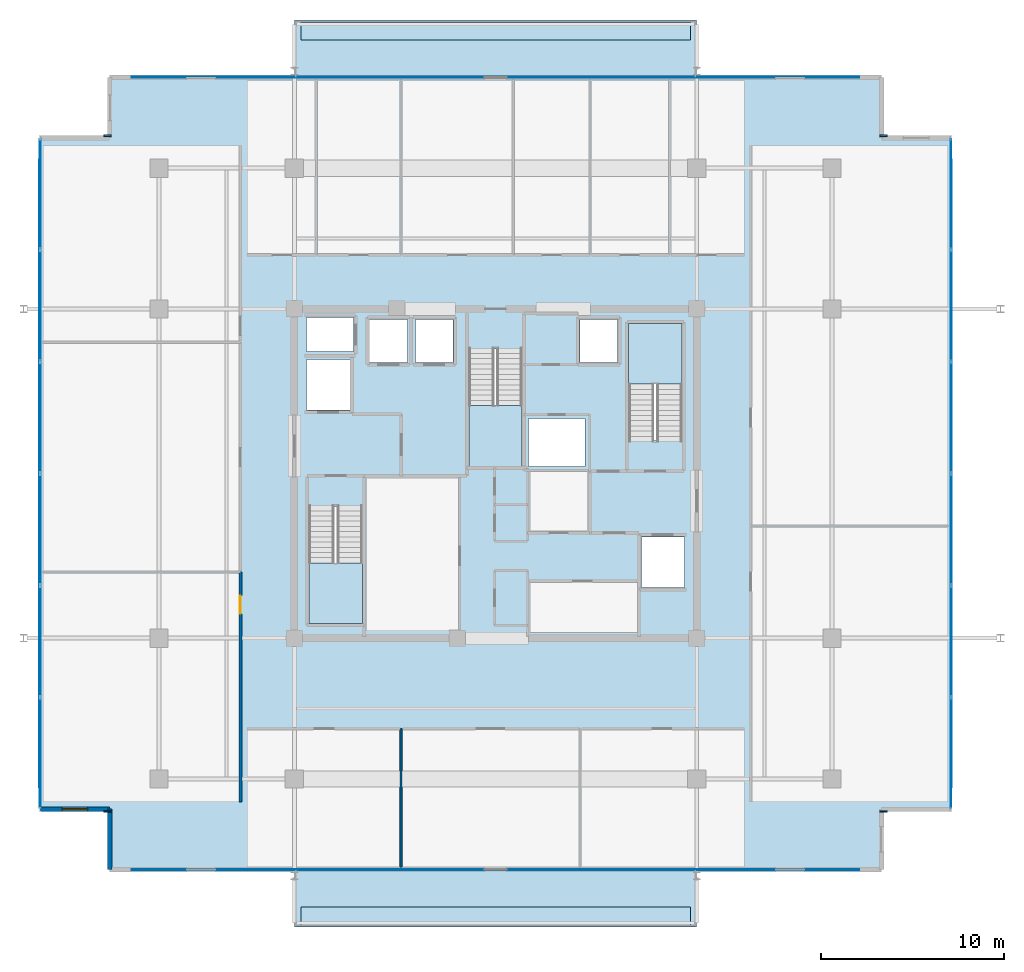
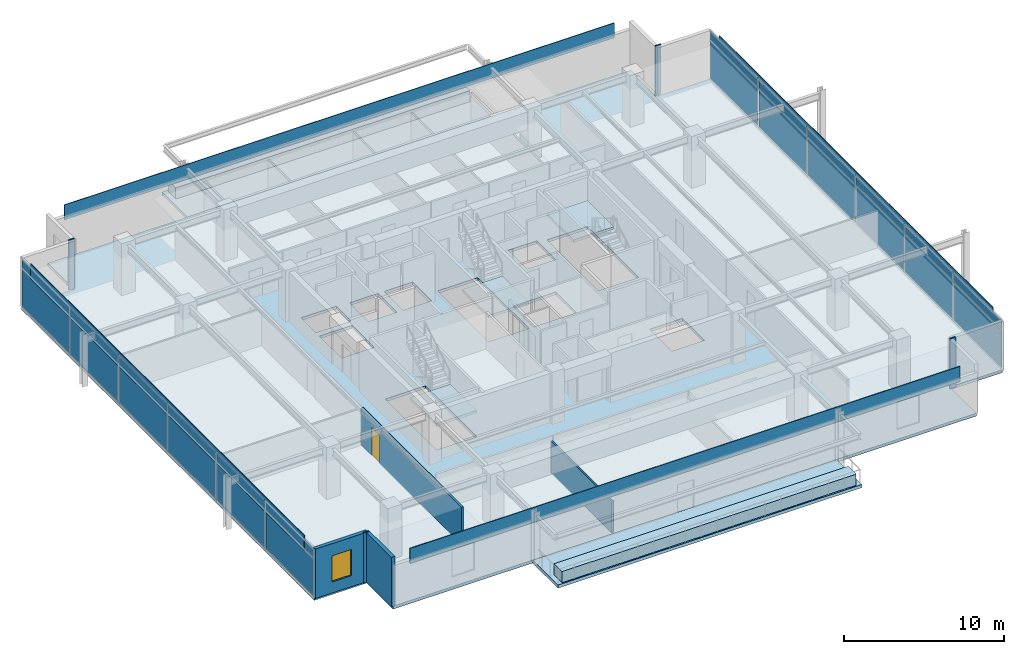
# One storey, part 12 of 20: 32 plates, 8 slabs, 4 walls, 1 door, 1 window, 2 openings, 5 elements without a shape of their own.
"""IFC4 building model written with IfcOpenShell, lengths in metres."""

from ifc_helpers import new_model, si_unit, direction, frame, frame_2d, origin, origin_2d, place, context, subcontext, project, spatial, polyline, rectangle, outline, extrude, material, layer, layer_set, type_object, element, fill, aggregate, save


model = new_model("IFC4")

# Units and contexts
model_context = context("Model", 3, precision=1e-05, world=origin(), true_north=direction((0.0, 1.0)))
body_context = subcontext(model_context, "Body", "Model", "MODEL_VIEW")
ifc_project = project(units=[si_unit("LENGTHUNIT", "METRE"), si_unit("AREAUNIT", "SQUARE_METRE"), si_unit("VOLUMEUNIT", "CUBIC_METRE"), si_unit("PLANEANGLEUNIT", "RADIAN"), si_unit("MASSUNIT", "GRAM", prefix="KILO")], contexts=[model_context])

# Site, building, storey
site_placement = place(None, origin())
site = spatial("IfcSite", under=ifc_project, at=site_placement, CompositionType="ELEMENT")
building_placement = place(site_placement, origin())
building = spatial("IfcBuilding", under=site, at=building_placement, Name="Kovane Verandah Tower", CompositionType="ELEMENT")
storey_placement = place(building_placement, frame((0.0, 0.0, 322.800048828125)))
storey = spatial("IfcBuildingStorey", under=building, at=storey_placement, Name="L75", CompositionType="ELEMENT", Elevation=322.800048828125)

# Curtain wall, plates
ifc_material_1 = material(Name="Champagne Anodised Aluminium Frame with Low-E Clear Laminated Glass", Category="aluminium")
curtain_wall_type = type_object("IfcCurtainWallType", Name="CW-SYS-05-HIGH", PredefinedType="NOTDEFINED", material=ifc_material_1)
curtain_wall_1_placement = place(storey_placement, origin())
curtain_wall_1 = element("IfcCurtainWall", 1, at=curtain_wall_1_placement, inside=storey, type_object=curtain_wall_type, Name="L75 E Unitised Curtain Wall", PredefinedType="NOTDEFINED")
ifc_material_2 = material(Name="Pale Champagne Anodised Aluminium Insulated Spandrel", Category="aluminium")
ifc_layer_1 = layer(ifc_material_2, 0.0400390625)
ifc_layer_set_1 = layer_set([ifc_layer_1], Name="Pale Champagne Anodised Aluminium Insulated Spandrel")
plate_type_1 = type_object("IfcPlateType", Name="PL-CW-SPD-40", PredefinedType="SHEET", material=ifc_layer_set_1)
plate_1_placement = place(storey_placement, frame((64.89990234375, 12.208251953125, 3.05517578125), z_axis=(0.0, 0.0, 1.0), x_axis=(0.0, 1.0, 0.0)))
plate_1 = element("IfcPlate", 2, at=plate_1_placement, type_object=plate_type_1, Name="L75 E Unitised Curtain Wall Spandrel Panel 1", PredefinedType="SHEET", context=body_context, shape_type="SweptSolid", body=[
    extrude(rectangle(XDim=5.976806640625, YDim=0.0400390625, at=origin_2d()), origin(), (0.0, 0.0, 1.0), 0.639892578125),
])
plate_2_placement = place(storey_placement, frame((64.89990234375, 18.324951171875, 3.05517578125), z_axis=(0.0, 0.0, 1.0), x_axis=(0.0, 1.0, 0.0)))
plate_2 = element("IfcPlate", 3, at=plate_2_placement, type_object=plate_type_1, Name="L75 E Unitised Curtain Wall Spandrel Panel 2", PredefinedType="SHEET", context=body_context, shape_type="SweptSolid", body=[
    extrude(rectangle(XDim=5.976806640625, YDim=0.0400390625, at=origin_2d()), origin(), (0.0, 0.0, 1.0), 0.639892578125),
])
plate_3_placement = place(storey_placement, frame((64.89990234375, 24.441650390625, 3.05517578125), z_axis=(0.0, 0.0, 1.0), x_axis=(0.0, 1.0, 0.0)))
plate_3 = element("IfcPlate", 4, at=plate_3_placement, type_object=plate_type_1, Name="L75 E Unitised Curtain Wall Spandrel Panel 3", PredefinedType="SHEET", context=body_context, shape_type="SweptSolid", body=[
    extrude(rectangle(XDim=5.976806640625, YDim=0.0400390625, at=origin_2d()), origin(), (0.0, 0.0, 1.0), 0.639892578125),
])
plate_4_placement = place(storey_placement, frame((64.89990234375, 30.558349609375, 3.05517578125), z_axis=(0.0, 0.0, 1.0), x_axis=(0.0, 1.0, 0.0)))
plate_4 = element("IfcPlate", 5, at=plate_4_placement, type_object=plate_type_1, Name="L75 E Unitised Curtain Wall Spandrel Panel 4", PredefinedType="SHEET", context=body_context, shape_type="SweptSolid", body=[
    extrude(rectangle(XDim=5.976806640625, YDim=0.0400390625, at=origin_2d()), origin(), (0.0, 0.0, 1.0), 0.639892578125),
])
plate_5_placement = place(storey_placement, frame((64.89990234375, 36.675048828125, 3.05517578125), z_axis=(0.0, 0.0, 1.0), x_axis=(0.0, 1.0, 0.0)))
plate_5 = element("IfcPlate", 6, at=plate_5_placement, type_object=plate_type_1, Name="L75 E Unitised Curtain Wall Spandrel Panel 5", PredefinedType="SHEET", context=body_context, shape_type="SweptSolid", body=[
    extrude(rectangle(XDim=5.976806640625, YDim=0.0400390625, at=origin_2d()), origin(), (0.0, 0.0, 1.0), 0.639892578125),
])
plate_6_placement = place(storey_placement, frame((64.89990234375, 42.791748046875, 3.05517578125), z_axis=(0.0, 0.0, 1.0), x_axis=(0.0, 1.0, 0.0)))
plate_6 = element("IfcPlate", 7, at=plate_6_placement, type_object=plate_type_1, Name="L75 E Unitised Curtain Wall Spandrel Panel 6", PredefinedType="SHEET", context=body_context, shape_type="SweptSolid", body=[
    extrude(rectangle(XDim=5.976806640625, YDim=0.0400390625, at=origin_2d()), origin(), (0.0, 0.0, 1.0), 0.639892578125),
])

curtain_wall_2_placement = place(storey_placement, origin())
curtain_wall_2 = element("IfcCurtainWall", 8, at=curtain_wall_2_placement, inside=storey, type_object=curtain_wall_type, Name="L75 W Unitised Curtain Wall", PredefinedType="NOTDEFINED")
plate_7_placement = place(storey_placement, frame((15.10009765625, 42.791748046875, 3.05517578125), z_axis=(0.0, 0.0, 1.0), x_axis=(0.0, -1.0, 0.0)))
plate_7 = element("IfcPlate", 9, at=plate_7_placement, type_object=plate_type_1, Name="L75 W Unitised Curtain Wall Spandrel Panel 1", PredefinedType="SHEET", context=body_context, shape_type="SweptSolid", body=[
    extrude(rectangle(XDim=5.976806640625, YDim=0.0400390625, at=origin_2d()), origin(), (0.0, 0.0, 1.0), 0.639892578125),
])
plate_8_placement = place(storey_placement, frame((15.10009765625, 36.675048828125, 3.05517578125), z_axis=(0.0, 0.0, 1.0), x_axis=(0.0, -1.0, 0.0)))
plate_8 = element("IfcPlate", 10, at=plate_8_placement, type_object=plate_type_1, Name="L75 W Unitised Curtain Wall Spandrel Panel 2", PredefinedType="SHEET", context=body_context, shape_type="SweptSolid", body=[
    extrude(rectangle(XDim=5.976806640625, YDim=0.0400390625, at=origin_2d()), origin(), (0.0, 0.0, 1.0), 0.639892578125),
])
plate_9_placement = place(storey_placement, frame((15.10009765625, 30.558349609375, 3.05517578125), z_axis=(0.0, 0.0, 1.0), x_axis=(0.0, -1.0, 0.0)))
plate_9 = element("IfcPlate", 11, at=plate_9_placement, type_object=plate_type_1, Name="L75 W Unitised Curtain Wall Spandrel Panel 3", PredefinedType="SHEET", context=body_context, shape_type="SweptSolid", body=[
    extrude(rectangle(XDim=5.976806640625, YDim=0.0400390625, at=origin_2d()), origin(), (0.0, 0.0, 1.0), 0.639892578125),
])
plate_10_placement = place(storey_placement, frame((15.10009765625, 24.441650390625, 3.05517578125), z_axis=(0.0, 0.0, 1.0), x_axis=(0.0, -1.0, 0.0)))
plate_10 = element("IfcPlate", 12, at=plate_10_placement, type_object=plate_type_1, Name="L75 W Unitised Curtain Wall Spandrel Panel 4", PredefinedType="SHEET", context=body_context, shape_type="SweptSolid", body=[
    extrude(rectangle(XDim=5.976806640625, YDim=0.0400390625, at=origin_2d()), origin(), (0.0, 0.0, 1.0), 0.639892578125),
])
plate_11_placement = place(storey_placement, frame((15.10009765625, 18.324951171875, 3.05517578125), z_axis=(0.0, 0.0, 1.0), x_axis=(0.0, -1.0, 0.0)))
plate_11 = element("IfcPlate", 13, at=plate_11_placement, type_object=plate_type_1, Name="L75 W Unitised Curtain Wall Spandrel Panel 5", PredefinedType="SHEET", context=body_context, shape_type="SweptSolid", body=[
    extrude(rectangle(XDim=5.976806640625, YDim=0.0400390625, at=origin_2d()), origin(), (0.0, 0.0, 1.0), 0.639892578125),
])
plate_12_placement = place(storey_placement, frame((15.10009765625, 12.208251953125, 3.05517578125), z_axis=(0.0, 0.0, 1.0), x_axis=(0.0, -1.0, 0.0)))
plate_12 = element("IfcPlate", 14, at=plate_12_placement, type_object=plate_type_1, Name="L75 W Unitised Curtain Wall Spandrel Panel 6", PredefinedType="SHEET", context=body_context, shape_type="SweptSolid", body=[
    extrude(rectangle(XDim=5.976806640625, YDim=0.0400390625, at=origin_2d()), origin(), (0.0, 0.0, 1.0), 0.639892578125),
])

# Plate
ifc_material_3 = material(Name="Clear Low-E Laminated Double Glazing", Category="glass")
ifc_layer_2 = layer(ifc_material_3, 0.031982421875)
ifc_layer_set_2 = layer_set([ifc_layer_2], Name="Clear Low-E Laminated Double Glazing")
plate_type_2 = type_object("IfcPlateType", Name="PL-CW-VIS-32", PredefinedType="CURTAIN_PANEL", material=ifc_layer_set_2)
plate_13_placement = place(storey_placement, frame((64.89990234375, 12.208251953125, 0.099853515625), z_axis=(0.0, 0.0, 1.0), x_axis=(0.0, 1.0, 0.0)))
plate_13 = element("IfcPlate", 15, at=plate_13_placement, type_object=plate_type_2, Name="L75 E Unitised Curtain Wall Vision Panel 1", PredefinedType="CURTAIN_PANEL", context=body_context, shape_type="SweptSolid", body=[
    extrude(rectangle(XDim=5.976806640625, YDim=0.031982421875, at=origin_2d()), origin(), (0.0, 0.0, 1.0), 2.85498046875),
])

plate_14_placement = place(storey_placement, frame((64.89990234375, 18.324951171875, 0.099853515625), z_axis=(0.0, 0.0, 1.0), x_axis=(0.0, 1.0, 0.0)))
plate_14 = element("IfcPlate", 16, at=plate_14_placement, type_object=plate_type_2, Name="L75 E Unitised Curtain Wall Vision Panel 2", PredefinedType="CURTAIN_PANEL", context=body_context, shape_type="SweptSolid", body=[
    extrude(rectangle(XDim=5.976806640625, YDim=0.031982421875, at=origin_2d()), origin(), (0.0, 0.0, 1.0), 2.85498046875),
])

plate_15_placement = place(storey_placement, frame((64.89990234375, 24.441650390625, 0.099853515625), z_axis=(0.0, 0.0, 1.0), x_axis=(0.0, 1.0, 0.0)))
plate_15 = element("IfcPlate", 17, at=plate_15_placement, type_object=plate_type_2, Name="L75 E Unitised Curtain Wall Vision Panel 3", PredefinedType="CURTAIN_PANEL", context=body_context, shape_type="SweptSolid", body=[
    extrude(rectangle(XDim=5.976806640625, YDim=0.031982421875, at=origin_2d()), origin(), (0.0, 0.0, 1.0), 2.85498046875),
])

plate_16_placement = place(storey_placement, frame((64.89990234375, 30.558349609375, 0.099853515625), z_axis=(0.0, 0.0, 1.0), x_axis=(0.0, 1.0, 0.0)))
plate_16 = element("IfcPlate", 18, at=plate_16_placement, type_object=plate_type_2, Name="L75 E Unitised Curtain Wall Vision Panel 4", PredefinedType="CURTAIN_PANEL", context=body_context, shape_type="SweptSolid", body=[
    extrude(rectangle(XDim=5.976806640625, YDim=0.031982421875, at=origin_2d()), origin(), (0.0, 0.0, 1.0), 2.85498046875),
])

plate_17_placement = place(storey_placement, frame((64.89990234375, 36.675048828125, 0.099853515625), z_axis=(0.0, 0.0, 1.0), x_axis=(0.0, 1.0, 0.0)))
plate_17 = element("IfcPlate", 19, at=plate_17_placement, type_object=plate_type_2, Name="L75 E Unitised Curtain Wall Vision Panel 5", PredefinedType="CURTAIN_PANEL", context=body_context, shape_type="SweptSolid", body=[
    extrude(rectangle(XDim=5.976806640625, YDim=0.031982421875, at=origin_2d()), origin(), (0.0, 0.0, 1.0), 2.85498046875),
])

plate_18_placement = place(storey_placement, frame((64.89990234375, 42.791748046875, 0.099853515625), z_axis=(0.0, 0.0, 1.0), x_axis=(0.0, 1.0, 0.0)))
plate_18 = element("IfcPlate", 20, at=plate_18_placement, type_object=plate_type_2, Name="L75 E Unitised Curtain Wall Vision Panel 6", PredefinedType="CURTAIN_PANEL", context=body_context, shape_type="SweptSolid", body=[
    extrude(rectangle(XDim=5.976806640625, YDim=0.031982421875, at=origin_2d()), origin(), (0.0, 0.0, 1.0), 2.85498046875),
])

aggregate(curtain_wall_1, [plate_13, plate_1, plate_14, plate_2, plate_15, plate_3, plate_16, plate_4, plate_17, plate_5, plate_18, plate_6])

plate_19_placement = place(storey_placement, frame((15.10009765625, 42.791748046875, 0.099853515625), z_axis=(0.0, 0.0, 1.0), x_axis=(0.0, -1.0, 0.0)))
plate_19 = element("IfcPlate", 21, at=plate_19_placement, type_object=plate_type_2, Name="L75 W Unitised Curtain Wall Vision Panel 1", PredefinedType="CURTAIN_PANEL", context=body_context, shape_type="SweptSolid", body=[
    extrude(rectangle(XDim=5.976806640625, YDim=0.031982421875, at=origin_2d()), origin(), (0.0, 0.0, 1.0), 2.85498046875),
])

plate_20_placement = place(storey_placement, frame((15.10009765625, 36.675048828125, 0.099853515625), z_axis=(0.0, 0.0, 1.0), x_axis=(0.0, -1.0, 0.0)))
plate_20 = element("IfcPlate", 22, at=plate_20_placement, type_object=plate_type_2, Name="L75 W Unitised Curtain Wall Vision Panel 2", PredefinedType="CURTAIN_PANEL", context=body_context, shape_type="SweptSolid", body=[
    extrude(rectangle(XDim=5.976806640625, YDim=0.031982421875, at=origin_2d()), origin(), (0.0, 0.0, 1.0), 2.85498046875),
])

plate_21_placement = place(storey_placement, frame((15.10009765625, 30.558349609375, 0.099853515625), z_axis=(0.0, 0.0, 1.0), x_axis=(0.0, -1.0, 0.0)))
plate_21 = element("IfcPlate", 23, at=plate_21_placement, type_object=plate_type_2, Name="L75 W Unitised Curtain Wall Vision Panel 3", PredefinedType="CURTAIN_PANEL", context=body_context, shape_type="SweptSolid", body=[
    extrude(rectangle(XDim=5.976806640625, YDim=0.031982421875, at=origin_2d()), origin(), (0.0, 0.0, 1.0), 2.85498046875),
])

plate_22_placement = place(storey_placement, frame((15.10009765625, 24.441650390625, 0.099853515625), z_axis=(0.0, 0.0, 1.0), x_axis=(0.0, -1.0, 0.0)))
plate_22 = element("IfcPlate", 24, at=plate_22_placement, type_object=plate_type_2, Name="L75 W Unitised Curtain Wall Vision Panel 4", PredefinedType="CURTAIN_PANEL", context=body_context, shape_type="SweptSolid", body=[
    extrude(rectangle(XDim=5.976806640625, YDim=0.031982421875, at=origin_2d()), origin(), (0.0, 0.0, 1.0), 2.85498046875),
])

plate_23_placement = place(storey_placement, frame((15.10009765625, 18.324951171875, 0.099853515625), z_axis=(0.0, 0.0, 1.0), x_axis=(0.0, -1.0, 0.0)))
plate_23 = element("IfcPlate", 25, at=plate_23_placement, type_object=plate_type_2, Name="L75 W Unitised Curtain Wall Vision Panel 5", PredefinedType="CURTAIN_PANEL", context=body_context, shape_type="SweptSolid", body=[
    extrude(rectangle(XDim=5.976806640625, YDim=0.031982421875, at=origin_2d()), origin(), (0.0, 0.0, 1.0), 2.85498046875),
])

plate_24_placement = place(storey_placement, frame((15.10009765625, 12.208251953125, 0.099853515625), z_axis=(0.0, 0.0, 1.0), x_axis=(0.0, -1.0, 0.0)))
plate_24 = element("IfcPlate", 26, at=plate_24_placement, type_object=plate_type_2, Name="L75 W Unitised Curtain Wall Vision Panel 6", PredefinedType="CURTAIN_PANEL", context=body_context, shape_type="SweptSolid", body=[
    extrude(rectangle(XDim=5.976806640625, YDim=0.031982421875, at=origin_2d()), origin(), (0.0, 0.0, 1.0), 2.85498046875),
])

aggregate(curtain_wall_2, [plate_19, plate_7, plate_20, plate_8, plate_21, plate_9, plate_22, plate_10, plate_23, plate_11, plate_24, plate_12])

# Plates
ifc_material_4 = material(Name="Timber-Toned Subtropical Aluminium Vertical Blade", Category="wood")
ifc_layer_3 = layer(ifc_material_4, 0.090087890625)
ifc_layer_set_3 = layer_set([ifc_layer_3], Name="Timber-Toned Subtropical Aluminium Vertical Blade")
plate_type_3 = type_object("IfcPlateType", Name="PL-FIN-90", PredefinedType="USERDEFINED", material=ifc_layer_set_3)
for number, where, z_axis, x_axis, name in (
    (27, (18.780029296875, 9.030029296875, -0.02001953125), (0.0, 0.0, 1.0), (1.0, 0.0, 0.0), "L75 SW Timber-Toned Vertical Corner Fin"),
    (28, (61.219970703125, 9.030029296875, -0.02001953125), (0.0, 0.0, 1.0), (1.0, 0.0, 0.0), "L75 SE Timber-Toned Vertical Corner Fin"),
    (29, (61.219970703125, 45.969970703125, -0.02001953125), (0.0, 0.0, 1.0), (1.0, 0.0, 0.0), "L75 NE Timber-Toned Vertical Corner Fin"),
    (30, (18.780029296875, 45.969970703125, -0.02001953125), (0.0, 0.0, 1.0), (1.0, 0.0, 0.0), "L75 NW Timber-Toned Vertical Corner Fin"),
):
    element("IfcPlate", number, at=place(storey_placement, frame(where, z_axis=z_axis, x_axis=x_axis)), inside=storey, type_object=plate_type_3, Name=name, ObjectType="FIN", PredefinedType="USERDEFINED", context=body_context, shape_type="SweptSolid", body=[
        extrude(rectangle(XDim=0.419921875, YDim=0.090087890625, at=origin_2d()), origin(), (0.0, 0.0, 1.0), 3.844970703125),
    ])
ifc_material_5 = material(Name="Perforated Pale Champagne Anodised Aluminium Solar Screen", Category="aluminium")
ifc_layer_4 = layer(ifc_material_5, 0.050048828125)
ifc_layer_set_4 = layer_set([ifc_layer_4], Name="Perforated Pale Champagne Anodised Aluminium Solar Screen")
plate_type_4 = type_object("IfcPlateType", Name="PL-SCREEN-50", PredefinedType="USERDEFINED", material=ifc_layer_set_4)
plate_25_placement = place(storey_placement, frame((40.0, 5.8349609375, 2.885009765625), z_axis=(0.0, 0.0, 1.0), x_axis=(1.0, 0.0, 0.0)))
element("IfcPlate", 31, at=plate_25_placement, inside=storey, type_object=plate_type_4, Name="L75 S Perforated Champagne-Gold Solar Screen", ObjectType="SCREEN", PredefinedType="USERDEFINED", context=body_context, shape_type="SweptSolid", body=[
    extrude(rectangle(XDim=39.800048828125, YDim=0.050048828125, at=origin_2d()), origin(), (0.0, 0.0, 1.0), 1.14990234375),
])
plate_26_placement = place(storey_placement, frame((64.9150390625, 27.5, 2.885009765625), z_axis=(0.0, 0.0, 1.0), x_axis=(0.0, 1.0, 0.0)))
element("IfcPlate", 32, at=plate_26_placement, inside=storey, type_object=plate_type_4, Name="L75 E Perforated Champagne-Gold Solar Screen", ObjectType="SCREEN", PredefinedType="USERDEFINED", context=body_context, shape_type="SweptSolid", body=[
    extrude(rectangle(XDim=34.300048828125, YDim=0.050048828125, at=origin_2d()), origin(), (0.0, 0.0, 1.0), 1.14990234375),
])
plate_27_placement = place(storey_placement, frame((40.0, 49.1650390625, 2.885009765625), z_axis=(0.0, 0.0, 1.0), x_axis=(-1.0, 0.0, 0.0)))
element("IfcPlate", 33, at=plate_27_placement, inside=storey, type_object=plate_type_4, Name="L75 N Perforated Champagne-Gold Solar Screen", ObjectType="SCREEN", PredefinedType="USERDEFINED", context=body_context, shape_type="SweptSolid", body=[
    extrude(rectangle(XDim=39.800048828125, YDim=0.050048828125, at=origin_2d()), origin(), (0.0, 0.0, 1.0), 1.14990234375),
])
plate_28_placement = place(storey_placement, frame((15.0849609375, 27.5, 2.885009765625), z_axis=(0.0, 0.0, 1.0), x_axis=(0.0, -1.0, 0.0)))
element("IfcPlate", 34, at=plate_28_placement, inside=storey, type_object=plate_type_4, Name="L75 W Perforated Champagne-Gold Solar Screen", ObjectType="SCREEN", PredefinedType="USERDEFINED", context=body_context, shape_type="SweptSolid", body=[
    extrude(rectangle(XDim=34.300048828125, YDim=0.050048828125, at=origin_2d()), origin(), (0.0, 0.0, 1.0), 1.14990234375),
])

# Slabs
ifc_material_6 = material(Name="Concrete C45/55", Category="concrete")
ifc_layer_5 = layer(ifc_material_6, 0.239990234375)
ifc_layer_set_5 = layer_set([ifc_layer_5], Name="Concrete C45/55")
slab_type_1 = type_object("IfcSlabType", Name="SL-BALC-240", PredefinedType="FLOOR", material=ifc_layer_set_5)
slab_1_placement = place(storey_placement, frame((0.0, 0.0, -0.239990234375)))
element("IfcSlab", 35, at=slab_1_placement, inside=storey, type_object=slab_type_1, Name="L75 N Planted Verandah Balcony Slab", PredefinedType="FLOOR", context=body_context, shape_type="SweptSolid", body=[
    extrude(outline(polyline([(29.0, 49.14990234375), (51.0, 49.14990234375), (51.0, 52.300048828125), (29.0, 52.300048828125), (29.0, 49.14990234375)])), origin(), (0.0, 0.0, 1.0), 0.239990234375),
])
slab_2_placement = place(storey_placement, frame((0.0, 0.0, -0.239990234375)))
element("IfcSlab", 36, at=slab_2_placement, inside=storey, type_object=slab_type_1, Name="L75 S Planted Verandah Balcony Slab", PredefinedType="FLOOR", context=body_context, shape_type="SweptSolid", body=[
    extrude(outline(polyline([(29.0, 2.699951171875), (51.0, 2.699951171875), (51.0, 5.85009765625), (29.0, 5.85009765625), (29.0, 2.699951171875)])), origin(), (0.0, 0.0, 1.0), 0.239990234375),
])
ifc_layer_6 = layer(ifc_material_6, 0.215087890625)
ifc_layer_set_6 = layer_set([ifc_layer_6], Name="Concrete C45/55")
slab_type_2 = type_object("IfcSlabType", Name="SL-HIGH-215", PredefinedType="FLOOR", material=ifc_layer_set_6)
slab_3_placement = place(storey_placement, frame((0.0, 0.0, -0.215087890625)))
element("IfcSlab", 37, at=slab_3_placement, inside=storey, type_object=slab_type_2, Name="L75 Structural Floor Slab", PredefinedType="FLOOR", context=body_context, shape_type="SweptSolid", body=[
    extrude(outline(polyline([(18.89990234375, 5.85009765625), (61.10009765625, 5.85009765625), (61.10009765625, 9.14990234375), (64.89990234375, 9.14990234375), (64.89990234375, 45.85009765625), (61.10009765625, 45.85009765625), (61.10009765625, 49.14990234375), (18.89990234375, 49.14990234375), (18.89990234375, 45.85009765625), (15.10009765625, 45.85009765625), (15.10009765625, 9.14990234375), (18.89990234375, 9.14990234375), (18.89990234375, 5.85009765625)]), holes=[polyline([(29.800048828125, 19.300048828125), (32.719970703125, 19.300048828125), (32.719970703125, 25.705078125), (29.800048828125, 25.705078125), (29.800048828125, 19.300048828125)]), polyline([(47.280029296875, 29.294921875), (50.199951171875, 29.294921875), (50.199951171875, 35.699951171875), (47.280029296875, 35.699951171875), (47.280029296875, 29.294921875)]), polyline([(38.5400390625, 27.89990234375), (41.4599609375, 27.89990234375), (41.4599609375, 34.304931640625), (38.5400390625, 34.304931640625), (38.5400390625, 27.89990234375)]), polyline([(29.669921875, 30.969970703125), (32.030029296875, 30.969970703125), (32.030029296875, 33.72998046875), (29.669921875, 33.72998046875), (29.669921875, 30.969970703125)]), polyline([(47.969970703125, 21.27001953125), (50.330078125, 21.27001953125), (50.330078125, 24.030029296875), (47.969970703125, 24.030029296875), (47.969970703125, 21.27001953125)]), polyline([(29.669921875, 34.169921875), (32.22998046875, 34.169921875), (32.22998046875, 36.030029296875), (29.669921875, 36.030029296875), (29.669921875, 34.169921875)]), polyline([(33.1201171875, 33.570068359375), (35.179931640625, 33.570068359375), (35.179931640625, 35.929931640625), (33.1201171875, 35.929931640625), (33.1201171875, 33.570068359375)]), polyline([(35.6201171875, 33.570068359375), (37.679931640625, 33.570068359375), (37.679931640625, 35.929931640625), (35.6201171875, 35.929931640625), (35.6201171875, 33.570068359375)]), polyline([(44.6201171875, 33.570068359375), (46.679931640625, 33.570068359375), (46.679931640625, 35.929931640625), (44.6201171875, 35.929931640625), (44.6201171875, 33.570068359375)]), polyline([(41.800048828125, 27.89990234375), (44.89990234375, 27.89990234375), (44.89990234375, 30.5), (41.800048828125, 30.5), (41.800048828125, 27.89990234375)])]), origin(), (0.0, 0.0, 1.0), 0.215087890625),
])

# Stair, slab
stair_type = type_object("IfcStairType", Name="ST-CORE-1380", PredefinedType="HALF_TURN_STAIR", material=ifc_material_6)
stair_1_placement = place(storey_placement, origin())
stair_1 = element("IfcStair", 38, at=stair_1_placement, inside=storey, type_object=stair_type, Name="L75 Exit Stair ST-01", PredefinedType="HALF_TURN_STAIR")
ifc_layer_7 = layer(ifc_material_6, 0.199951171875)
ifc_layer_set_7 = layer_set([ifc_layer_7], Name="Concrete C45/55")
slab_type_3 = type_object("IfcSlabType", Name="SL-LAND-200", PredefinedType="LANDING", material=ifc_layer_set_7)
slab_4_placement = place(storey_placement, frame((0.0, 0.0, 1.800048828125)))
slab_4 = element("IfcSlab", 39, at=slab_4_placement, type_object=slab_type_3, Name="ST-01 landing 1", PredefinedType="LANDING", context=body_context, shape_type="SweptSolid", body=[
    extrude(outline(polyline([(29.800048828125, 22.614990234375), (29.800048828125, 19.300048828125), (32.719970703125, 19.300048828125), (32.719970703125, 22.614990234375), (29.800048828125, 22.614990234375)])), origin(), (0.0, 0.0, 1.0), 0.199951171875),
])
aggregate(stair_1, [slab_4])

stair_2_placement = place(storey_placement, origin())
stair_2 = element("IfcStair", 40, at=stair_2_placement, inside=storey, type_object=stair_type, Name="L75 Exit Stair ST-02", PredefinedType="HALF_TURN_STAIR")
slab_5_placement = place(storey_placement, frame((0.0, 0.0, 1.800048828125)))
slab_5 = element("IfcSlab", 41, at=slab_5_placement, type_object=slab_type_3, Name="ST-02 landing 1", PredefinedType="LANDING", context=body_context, shape_type="SweptSolid", body=[
    extrude(outline(polyline([(50.199951171875, 32.385009765625), (50.199951171875, 35.699951171875), (47.280029296875, 35.699951171875), (47.280029296875, 32.385009765625), (50.199951171875, 32.385009765625)])), origin(), (0.0, 0.0, 1.0), 0.199951171875),
])
aggregate(stair_2, [slab_5])

stair_3_placement = place(storey_placement, origin())
stair_3 = element("IfcStair", 42, at=stair_3_placement, inside=storey, type_object=stair_type, Name="L75 Exit Stair ST-03", PredefinedType="HALF_TURN_STAIR")
slab_6_placement = place(storey_placement, frame((0.0, 0.0, 1.800048828125)))
slab_6 = element("IfcSlab", 43, at=slab_6_placement, type_object=slab_type_3, Name="ST-03 landing 1", PredefinedType="LANDING", context=body_context, shape_type="SweptSolid", body=[
    extrude(outline(polyline([(38.5400390625, 31.215087890625), (38.5400390625, 27.89990234375), (41.4599609375, 27.89990234375), (41.4599609375, 31.215087890625), (38.5400390625, 31.215087890625)])), origin(), (0.0, 0.0, 1.0), 0.199951171875),
])
aggregate(stair_3, [slab_6])

# Slabs
ifc_material_7 = material(Name="Architectural Precast Concrete C45/55 Planter Trough", Category="concrete")
ifc_layer_8 = layer(ifc_material_7, 0.219970703125)
ifc_layer_set_8 = layer_set([ifc_layer_8], Name="Architectural Precast Concrete C45/55 Planter Trough")
slab_type_4 = type_object("IfcSlabType", Name="SL-PLANTER-220", PredefinedType="USERDEFINED", material=ifc_layer_set_8)
slab_7_placement = place(storey_placement, origin())
element("IfcSlab", 44, at=slab_7_placement, inside=storey, type_object=slab_type_4, Name="L75 N Structural Tree Planter", ObjectType="PLANTER", PredefinedType="USERDEFINED", context=body_context, shape_type="SweptSolid", body=[
    extrude(outline(polyline([(29.35009765625, 51.199951171875), (50.64990234375, 51.199951171875), (50.64990234375, 52.199951171875), (29.35009765625, 52.199951171875), (29.35009765625, 51.199951171875)])), origin(), (0.0, 0.0, 1.0), 0.849853515625),
])
slab_8_placement = place(storey_placement, origin())
element("IfcSlab", 45, at=slab_8_placement, inside=storey, type_object=slab_type_4, Name="L75 S Structural Tree Planter", ObjectType="PLANTER", PredefinedType="USERDEFINED", context=body_context, shape_type="SweptSolid", body=[
    extrude(outline(polyline([(29.35009765625, 2.800048828125), (50.64990234375, 2.800048828125), (50.64990234375, 3.800048828125), (29.35009765625, 3.800048828125), (29.35009765625, 2.800048828125)])), origin(), (0.0, 0.0, 1.0), 0.849853515625),
])

# Wall, opening, door
ifc_material_8 = material(Name="Fire-Rated Gypsum Stud Partition", Category="gypsum")
ifc_layer_9 = layer(ifc_material_8, 0.14990234375)
ifc_layer_set_9 = layer_set([ifc_layer_9], Name="Fire-Rated Gypsum Stud Partition")
wall_type_1 = type_object("IfcWallType", Name="WL-COR-150", PredefinedType="PARTITIONING", material=ifc_layer_set_9)
wall_1_placement = place(storey_placement, frame((26.050048828125, 9.550048828125, 0.0), z_axis=(0.0, 0.0, 1.0), x_axis=(0.0, 1.0, 0.0)))
wall_1 = element("IfcWall", 46, at=wall_1_placement, inside=storey, type_object=wall_type_1, Name="L75 Focus Studio W1 Corridor Partition", PredefinedType="PARTITIONING", context=body_context, shape_type="SweptSolid", body=[
    extrude(rectangle(XDim=12.56494140625, YDim=0.14990234375, at=frame_2d((6.282470703125, 0.0))), origin(), (0.0, 0.0, 1.0), 2.849853515625),
])
opening_1_placement = place(wall_1_placement, frame((10.2724609375, 0.0, 0.0)))
opening_1 = element("IfcOpeningElement", 47, at=opening_1_placement, cuts=wall_1, Name="Opening DR-L75-030", PredefinedType="OPENING", context=body_context, shape_type="SweptSolid", body=[
    extrude(rectangle(XDim=1.0, YDim=2.14990234375, at=frame_2d((0.5, 1.074951171875))), frame((0.0, 0.074951171875, 0.0), z_axis=(0.0, -1.0, 0.0), x_axis=(1.0, 0.0, 0.0)), (0.0, 0.0, 1.0), 0.14990234375),
])
ifc_material_9 = material(Name="FSC Spotted-Gum Timber Fire-Rated Office Door", Category="wood")
door_type = type_object("IfcDoorType", Name="DR-OFF-1000", OperationType="SINGLE_SWING_LEFT", PredefinedType="DOOR", material=ifc_material_9)
door_placement = place(opening_1_placement, origin())
door = element("IfcDoor", 48, at=door_placement, inside=storey, type_object=door_type, Name="L75 Focus Studio W1 Entrance Door", OperationType="SINGLE_SWING_RIGHT", OverallHeight=2.14990234375, OverallWidth=1.0, PredefinedType="DOOR", context=body_context, shape_type="SweptSolid", body=[
    extrude(rectangle(XDim=1.0, YDim=2.14990234375, at=frame_2d((0.5, 1.074951171875))), frame((0.0, 0.02490234375, 0.0), z_axis=(0.0, -1.0, 0.0), x_axis=(1.0, 0.0, 0.0)), (0.0, 0.0, 1.0), 0.050048828125),
])
fill(opening_1, door)

# Wall
ifc_material_10 = material(Name="Acoustic Fire-Rated Gypsum Partition", Category="gypsum")
ifc_layer_10 = layer(ifc_material_10, 0.1201171875)
ifc_layer_set_10 = layer_set([ifc_layer_10], Name="Acoustic Fire-Rated Gypsum Partition")
wall_type_2 = type_object("IfcWallType", Name="WL-PART-120", PredefinedType="PARTITIONING", material=ifc_layer_set_10)
wall_2_placement = place(storey_placement, frame((34.83203125, 5.949951171875, 0.0), z_axis=(0.0, 0.0, 1.0), x_axis=(0.0, 1.0, 0.0)))
element("IfcWall", 49, at=wall_2_placement, inside=storey, type_object=wall_type_2, Name="L75 Executive Office S1 Dividing Partition", PredefinedType="PARTITIONING", context=body_context, shape_type="SweptSolid", body=[
    extrude(rectangle(XDim=7.60009765625, YDim=0.1201171875, at=frame_2d((3.800048828125, 0.0))), origin(), (0.0, 0.0, 1.0), 2.4150390625),
])

# Wall, opening, window
ifc_material_11 = material(Name="Concrete C45/55 Insulated Spandrel Wall", Category="concrete")
ifc_layer_11 = layer(ifc_material_11, 0.260009765625)
ifc_layer_set_11 = layer_set([ifc_layer_11], Name="Concrete C45/55 Insulated Spandrel Wall")
wall_type_3 = type_object("IfcWallType", Name="WL-SPANDREL-260", PredefinedType="PARAPET", material=ifc_layer_set_11)
wall_3_placement = place(storey_placement, frame((15.10009765625, 9.14990234375, 0.0), z_axis=(0.0, 0.0, 1.0), x_axis=(1.0, 0.0, 0.0)))
wall_3 = element("IfcWall", 50, at=wall_3_placement, inside=storey, type_object=wall_type_3, Name="L75 SW Notch Cheek Wall 1", PredefinedType="PARAPET", context=body_context, shape_type="SweptSolid", body=[
    extrude(rectangle(XDim=3.7998046875, YDim=0.260009765625, at=frame_2d((1.89990234375, 0.0))), origin(), (0.0, 0.0, 1.0), 3.784912109375),
])
opening_2_placement = place(wall_3_placement, frame((1.199951171875, 0.0, 0.85009765625)))
opening_2 = element("IfcOpeningElement", 51, at=opening_2_placement, cuts=wall_3, Name="Opening W-01", PredefinedType="OPENING", context=body_context, shape_type="SweptSolid", body=[
    extrude(rectangle(XDim=1.39990234375, YDim=2.0, at=frame_2d((0.699951171875, 1.0))), frame((0.0, 0.1298828125, 0.0), z_axis=(0.0, -1.0, 0.0), x_axis=(1.0, 0.0, 0.0)), (0.0, 0.0, 1.0), 0.260009765625),
])
ifc_material_12 = material(Name="Clear Low-E Laminated Double Glazing in Anodised Frame", Category="glass")
window_type = type_object("IfcWindowType", Name="WN-OPER-1400x2000", PartitioningType="SINGLE_PANEL", PredefinedType="WINDOW", material=ifc_material_12)
window_placement = place(opening_2_placement, origin())
window = element("IfcWindow", 52, at=window_placement, inside=storey, type_object=window_type, Name="L75 SW Re-Entrant Corner Operable Window", OverallHeight=2.0, OverallWidth=1.39990234375, PartitioningType="SINGLE_PANEL", PredefinedType="WINDOW", context=body_context, shape_type="SweptSolid", body=[
    extrude(rectangle(XDim=1.39990234375, YDim=2.0, at=frame_2d((0.699951171875, 1.0))), frame((0.0, 0.030029296875, 0.0), z_axis=(0.0, -1.0, 0.0), x_axis=(1.0, 0.0, 0.0)), (0.0, 0.0, 1.0), 0.06005859375),
])
fill(opening_2, window)

# Wall
wall_4_placement = place(storey_placement, frame((18.89990234375, 9.14990234375, 0.0), z_axis=(0.0, 0.0, 1.0), x_axis=(0.0, -1.0, 0.0)))
element("IfcWall", 53, at=wall_4_placement, inside=storey, type_object=wall_type_3, Name="L75 SW Notch Cheek Wall 2", PredefinedType="PARAPET", context=body_context, shape_type="SweptSolid", body=[
    extrude(rectangle(XDim=3.2998046875, YDim=0.260009765625, at=frame_2d((1.64990234375, 0.0))), origin(), (0.0, 0.0, 1.0), 3.784912109375),
])

save(model, "model.ifc")
